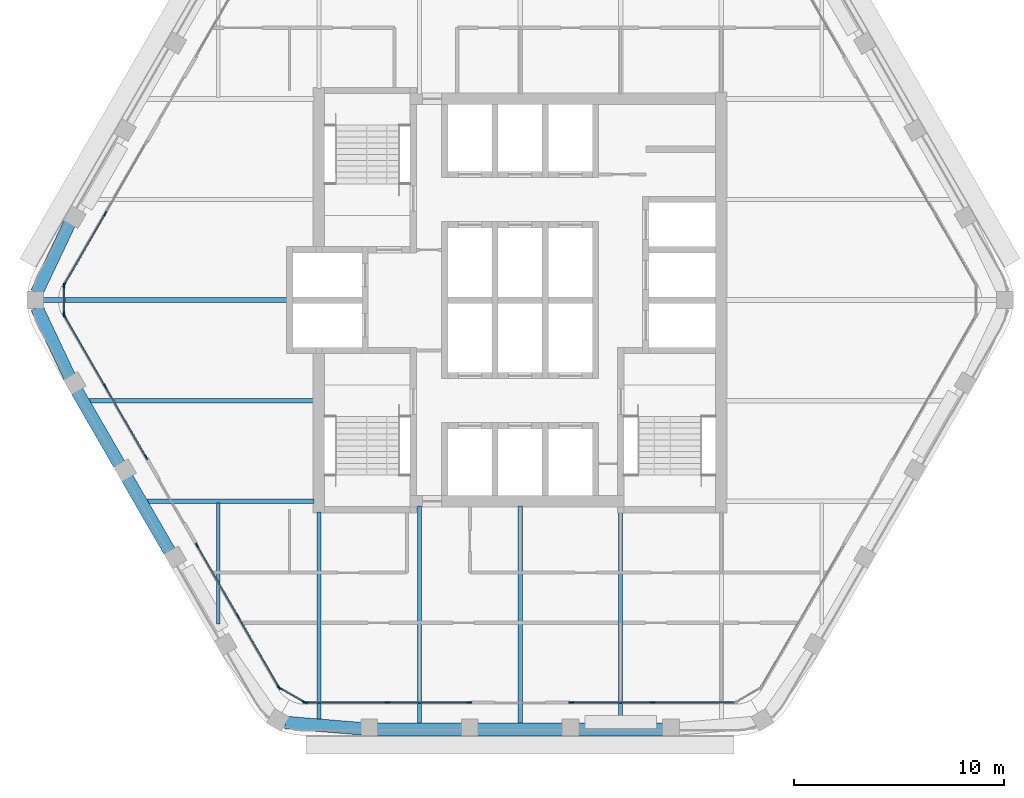
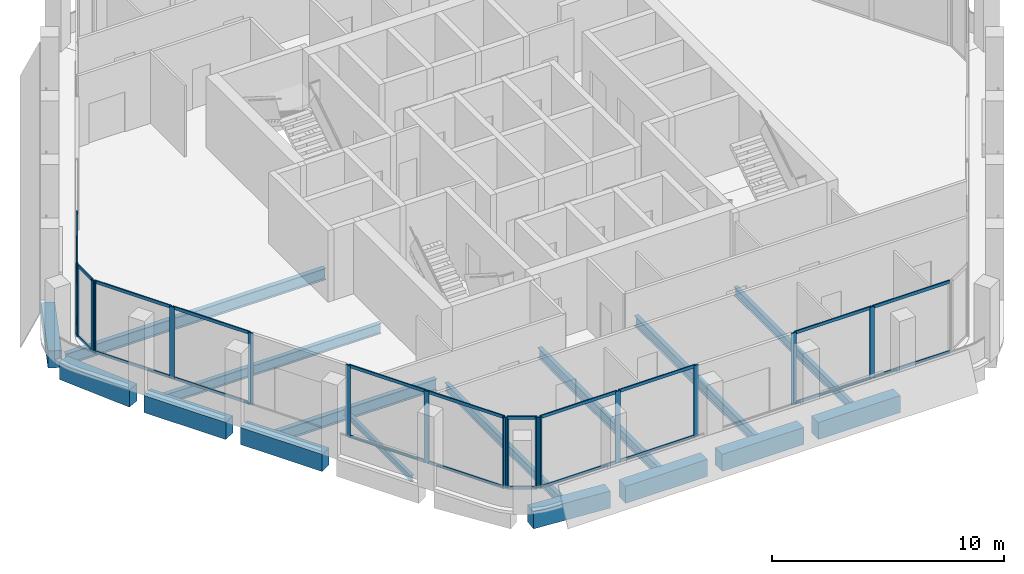
# One storey, part 2 of 13: 39 members, 16 beams, 7 elements without a shape of their own.
"""IFC4 building model written with IfcOpenShell, lengths in metres."""

import ifcopenshell
import ifcopenshell.guid

model = None  # the IFC model being written
_history = None  # IfcOwnerHistory: only IFC2X3 demands one
_inside = {}  # id of a spatial element -> (the spatial element, [elements in it])
_under = {}  # id of a project, library or spatial element -> (it, [spatial elements below it])
_declared = {}  # id of a project -> (the project, [libraries it declares])
_typed = {}  # id of a type object -> (the type object, [elements of that type])
_made_of = {}  # id of a material, layer set ... -> (it, [elements and type objects made of it])


def new_model(schema):
    """Start an empty IFC model of exactly this schema.

    Asked for "IFC4X3", IfcOpenShell would pick the latest addendum, in which some entities
    have other attributes; the version numbers below select the first issue.
    IFC2X3 requires an IfcOwnerHistory on every rooted entity: one is made here for all.
    """
    global model, _history
    if schema == "IFC4X3":
        model = ifcopenshell.file(schema_version=(4, 3, 0, 0))
    else:
        model = ifcopenshell.file(schema=schema)
    _inside.clear()
    _under.clear()
    _declared.clear()
    _typed.clear()
    _made_of.clear()
    _history = None
    if model.schema == "IFC2X3":
        org = make("IfcOrganization", Name="unknown")
        user = make(
            "IfcPersonAndOrganization",
            ThePerson=make("IfcPerson", FamilyName="unknown"),
            TheOrganization=org,
        )
        app = make(
            "IfcApplication",
            ApplicationDeveloper=org,
            Version="unknown",
            ApplicationFullName="unknown",
            ApplicationIdentifier="unknown",
        )
        _history = make(
            "IfcOwnerHistory",
            OwningUser=user,
            OwningApplication=app,
            ChangeAction="ADDED",
            CreationDate=0,
        )
    return model


def make(cls, **values):
    """One entity of the class cls with the attributes given. An attribute that is None is left unset."""
    return model.create_entity(
        cls, **{name: value for name, value in values.items() if value is not None}
    )


def rooted(cls, **values):
    """An entity with a GlobalId (a new one), such as an element, a storey or a relation."""
    return make(cls, GlobalId=ifcopenshell.guid.new(), OwnerHistory=_history, **values)


def si_unit(unit_type, name, prefix=None):
    """IfcSIUnit, for example si_unit("LENGTHUNIT", "METRE", prefix="MILLI")."""
    return make("IfcSIUnit", UnitType=unit_type, Prefix=prefix, Name=name)


def assignment(units):
    """IfcUnitAssignment: the units of a project."""
    return None if units is None else make("IfcUnitAssignment", Units=units)


def point(xyz):
    """IfcCartesianPoint."""
    return None if xyz is None else make("IfcCartesianPoint", Coordinates=xyz)


def direction(xyz):
    """IfcDirection."""
    return None if xyz is None else make("IfcDirection", DirectionRatios=xyz)


def frame(location, z_axis=None, x_axis=None):
    """IfcAxis2Placement3D, a coordinate frame: its origin and axes. An axis left out is left unset."""
    return make(
        "IfcAxis2Placement3D",
        Location=point(location),
        Axis=direction(z_axis),
        RefDirection=direction(x_axis),
    )


def frame_2d(location, x_axis=None):
    """IfcAxis2Placement2D, a coordinate frame in the plane: its origin and x axis."""
    return make(
        "IfcAxis2Placement2D", Location=point(location), RefDirection=direction(x_axis)
    )


def origin():
    """The frame at (0, 0, 0) with its axes left unset."""
    return frame((0.0, 0.0, 0.0))


def origin_2d():
    """The frame at (0, 0) in the plane with its x axis left unset."""
    return frame_2d((0.0, 0.0))


def place(relative_to, where):
    """IfcLocalPlacement: puts the frame where relative to a parent placement (None: the world)."""
    return make(
        "IfcLocalPlacement", PlacementRelTo=relative_to, RelativePlacement=where
    )


def context(
    kind, dimensions, precision=None, world=None, true_north=None, identifier=None
):
    """IfcGeometricRepresentationContext, for example the 3D "Model" context."""
    return make(
        "IfcGeometricRepresentationContext",
        ContextIdentifier=identifier,
        ContextType=kind,
        CoordinateSpaceDimension=dimensions,
        Precision=precision,
        WorldCoordinateSystem=world,
        TrueNorth=true_north,
    )


def subcontext(parent, identifier, kind, view, scale=None):
    """IfcGeometricRepresentationSubContext, for example "Body" below "Model"."""
    return make(
        "IfcGeometricRepresentationSubContext",
        ContextIdentifier=identifier,
        ContextType=kind,
        ParentContext=parent,
        TargetScale=scale,
        TargetView=view,
    )


def project(units=None, contexts=None):
    """IfcProject with its units and contexts."""
    return rooted(
        "IfcProject",
        Name="project",
        RepresentationContexts=contexts,
        UnitsInContext=assignment(units),
    )


def spatial(cls, under=None, at=None, **own):
    """A site, building, storey or space (cls), placed at a placement, below another one or the project."""
    s = rooted(cls, ObjectPlacement=at, **own)
    if under is not None:
        _under.setdefault(under.id(), (under, []))[1].append(s)
    return s


def profile(cls, at=None, kind="AREA", **sizes):
    """A parametric profile (cls). Its sizes go by their IFC names, for example OverallWidth=200.0."""
    return make(cls, ProfileType=kind, Position=at, **sizes)


def rectangle(**sizes):
    """IfcRectangleProfileDef."""
    return profile("IfcRectangleProfileDef", **sizes)


def i_section(**sizes):
    """IfcIShapeProfileDef."""
    return profile("IfcIShapeProfileDef", **sizes)


def extrude(swept, where, along, depth):
    """IfcExtrudedAreaSolid: the profile swept, set in the frame where, extruded along a direction by depth."""
    return make(
        "IfcExtrudedAreaSolid",
        SweptArea=swept,
        Position=where,
        ExtrudedDirection=direction(along),
        Depth=depth,
    )


def shape(context_of_items, identifier, shape_type, items):
    """IfcShapeRepresentation: the items that make up one representation, for example the "Body"."""
    return make(
        "IfcShapeRepresentation",
        ContextOfItems=context_of_items,
        RepresentationIdentifier=identifier,
        RepresentationType=shape_type,
        Items=items,
    )


def material(Name=None, Category=None):
    """IfcMaterial."""
    return make("IfcMaterial", Name=Name, Category=Category)


def material_profile(
    of_material, cross_section, Name=None, Category=None, Priority=None
):
    """IfcMaterialProfile: a cross section and its material."""
    return make(
        "IfcMaterialProfile",
        Name=Name,
        Material=of_material,
        Profile=cross_section,
        Priority=Priority,
        Category=Category,
    )


def profile_set(profiles, Name=None, composite=None):
    """IfcMaterialProfileSet."""
    return make(
        "IfcMaterialProfileSet",
        Name=Name,
        MaterialProfiles=profiles,
        CompositeProfile=composite,
    )


def made_of(thing, what):
    """Note that an element or type object is made of a material, layer set ...; save() writes the relation."""
    if what is not None:
        _made_of.setdefault(what.id(), (what, []))[1].append(thing)
    return thing


def type_object(cls, material=None, **own):
    """A type object (cls), such as IfcWallType, which elements share."""
    return made_of(rooted(cls, **own), material)


def element(
    cls,
    number,
    at=None,
    inside=None,
    cuts=None,
    type_object=None,
    material=None,
    context=None,
    identifier="Body",
    shape_type=None,
    held_by="IfcProductDefinitionShape",
    body=None,
    shapes=None,
    **own,
):
    """One element of the class cls, such as IfcWall. Its Tag is "e" and its number.

    at: its placement. inside: the storey or other place that contains it. cuts: it is an
    opening in that element (IfcRelVoidsElement). A single representation is given by context,
    identifier, shape_type and body (its items); several are given by shapes. held_by: the class
    of the entity that holds the representations. save() writes the other relations.
    """
    e = rooted(cls, Tag="e%d" % number, ObjectPlacement=at, **own)
    if body is not None:
        shapes = [shape(context, identifier, shape_type, body)]
    if shapes is not None:
        e.Representation = make(held_by, Representations=shapes)
    if inside is not None:
        _inside.setdefault(inside.id(), (inside, []))[1].append(e)
    if cuts is not None:
        rooted(
            "IfcRelVoidsElement", RelatingBuildingElement=cuts, RelatedOpeningElement=e
        )
    if type_object is not None:
        _typed.setdefault(type_object.id(), (type_object, []))[1].append(e)
    return made_of(e, material)


def aggregate(whole, parts):
    """IfcRelAggregates: a whole, such as a stair, and the parts it consists of."""
    return rooted("IfcRelAggregates", RelatingObject=whole, RelatedObjects=parts)


def save(model, path):
    """Write the relations noted so far, then the file.

    IfcRelAggregates (storeys below a building ...), IfcRelContainedInSpatialStructure (elements
    in a storey), IfcRelDefinesByType, IfcRelAssociatesMaterial and IfcRelDeclares: one each for
    every whole, place, type object, material and project.
    """
    for whole, parts in _under.values():
        aggregate(whole, parts)
    for where, things in _inside.values():
        rooted(
            "IfcRelContainedInSpatialStructure",
            RelatedElements=things,
            RelatingStructure=where,
        )
    for kind, things in _typed.values():
        rooted("IfcRelDefinesByType", RelatedObjects=things, RelatingType=kind)
    for what, things in _made_of.values():
        rooted("IfcRelAssociatesMaterial", RelatedObjects=things, RelatingMaterial=what)
    for by, libraries in _declared.values():
        rooted("IfcRelDeclares", RelatingContext=by, RelatedDefinitions=libraries)
    model.write(path)


model = new_model("IFC4")

# Units and contexts
model_context = context("Model", 3, precision=1e-05, world=origin(), true_north=direction((0.0, 1.0)))
body_context = subcontext(model_context, "Body", "Model", "MODEL_VIEW")
ifc_project = project(units=[si_unit("LENGTHUNIT", "METRE"), si_unit("AREAUNIT", "SQUARE_METRE"), si_unit("VOLUMEUNIT", "CUBIC_METRE"), si_unit("PLANEANGLEUNIT", "RADIAN"), si_unit("MASSUNIT", "GRAM", prefix="KILO")], contexts=[model_context])

# Site, building, storey
site_placement = place(None, origin())
site = spatial("IfcSite", under=ifc_project, at=site_placement, CompositionType="ELEMENT")
building_placement = place(site_placement, origin())
building = spatial("IfcBuilding", under=site, at=building_placement, Name="Kolab Exchange Tower", CompositionType="ELEMENT")
storey_placement = place(building_placement, frame((0.0, 0.0, 289.10009765625)))
storey = spatial("IfcBuildingStorey", under=building, at=storey_placement, Name="L65", CompositionType="ELEMENT", Elevation=289.10009765625)

# Beams
ifc_material_1 = material(Name="Steel S355", Category="steel")
ifc_material_profile_1 = material_profile(ifc_material_1, i_section(OverallWidth=0.1650390625, OverallDepth=0.31005859375, WebThickness=0.005859375, FlangeThickness=0.009765625, at=origin_2d()), Name="W310X39")
ifc_profile_set_1 = profile_set([ifc_material_profile_1], Name="Steel S355")
beam_type_1 = type_object("IfcBeamType", Name="FLOOR BEAM W310X39", PredefinedType="BEAM", material=ifc_profile_set_1)
beam_1_placement = place(storey_placement, frame((-14.39990234375, -15.4677734375, -0.30517578125), z_axis=(0.0, 1.0, 0.0), x_axis=(-1.0, 0.0, 0.0)))
element("IfcBeam", 1, at=beam_1_placement, inside=storey, type_object=beam_type_1, Name="beam/L65/fr/003", PredefinedType="BEAM", context=body_context, shape_type="SweptSolid", body=[
    extrude(i_section(OverallWidth=0.1650390625, OverallDepth=0.31005859375, WebThickness=0.005859375, FlangeThickness=0.009765625, at=origin_2d()), origin(), (0.0, 0.0, 1.0), 5.793701171875),
])
ifc_material_profile_2 = material_profile(ifc_material_1, i_section(OverallWidth=0.18994140625, OverallDepth=0.45703125, WebThickness=0.009033203125, FlangeThickness=0.014404296875, at=origin_2d()), Name="W460X74")
ifc_profile_set_2 = profile_set([ifc_material_profile_2], Name="Steel S355")
beam_type_2 = type_object("IfcBeamType", Name="FLOOR BEAM W460X74", PredefinedType="BEAM", material=ifc_profile_set_2)
beam_2_placement = place(storey_placement, frame((-9.60009765625, -20.027099609375, -0.378662109375), z_axis=(0.0, 1.0, 0.0), x_axis=(-1.0, 0.0, 0.0)))
element("IfcBeam", 2, at=beam_2_placement, inside=storey, type_object=beam_type_2, Name="beam/L65/fr/005", PredefinedType="BEAM", context=body_context, shape_type="SweptSolid", body=[
    extrude(i_section(OverallWidth=0.18994140625, OverallDepth=0.45703125, WebThickness=0.009033203125, FlangeThickness=0.014404296875, at=origin_2d()), origin(), (0.0, 0.0, 1.0), 9.9169921875),
])
beam_3_placement = place(storey_placement, frame((4.800048828125, -20.224609375, -0.378662109375), z_axis=(0.0, 1.0, 0.0), x_axis=(-1.0, 0.0, 0.0)))
element("IfcBeam", 3, at=beam_3_placement, inside=storey, type_object=beam_type_2, Name="beam/L65/fr/011", PredefinedType="BEAM", context=body_context, shape_type="SweptSolid", body=[
    extrude(i_section(OverallWidth=0.18994140625, OverallDepth=0.45703125, WebThickness=0.009033203125, FlangeThickness=0.014404296875, at=origin_2d()), origin(), (0.0, 0.0, 1.0), 10.114501953125),
])
ifc_material_profile_3 = material_profile(ifc_material_1, i_section(OverallWidth=0.208984375, OverallDepth=0.532958984375, WebThickness=0.01025390625, FlangeThickness=0.015625, at=origin_2d()), Name="W530X92")
ifc_profile_set_3 = profile_set([ifc_material_profile_3], Name="Steel S355")
beam_type_3 = type_object("IfcBeamType", Name="FLOOR BEAM W530X92", PredefinedType="BEAM", material=ifc_profile_set_3)
beam_4_placement = place(storey_placement, frame((-20.575927734375, -4.800048828125, -0.41650390625), z_axis=(1.0, 0.0, 0.0), x_axis=(0.0, 1.0, 0.0)))
element("IfcBeam", 4, at=beam_4_placement, inside=storey, type_object=beam_type_3, Name="beam/L65/fr/001", PredefinedType="BEAM", context=body_context, shape_type="SweptSolid", body=[
    extrude(i_section(OverallWidth=0.208984375, OverallDepth=0.532958984375, WebThickness=0.01025390625, FlangeThickness=0.015625, at=origin_2d()), origin(), (0.0, 0.0, 1.0), 10.740966796875),
])
for number, where, z_axis, x_axis, name in (
    (5, (-4.800048828125, -20.224609375, -0.41650390625), (0.0, 1.0, 0.0), (-1.0, 0.0, 0.0), "beam/L65/fr/007"),
    (6, (0.0, -20.224609375, -0.41650390625), (0.0, 1.0, 0.0), (-1.0, 0.0, 0.0), "beam/L65/fr/009"),
):
    element("IfcBeam", number, at=place(storey_placement, frame(where, z_axis=z_axis, x_axis=x_axis)), inside=storey, type_object=beam_type_3, Name=name, PredefinedType="BEAM", context=body_context, shape_type="SweptSolid", body=[
        extrude(i_section(OverallWidth=0.208984375, OverallDepth=0.532958984375, WebThickness=0.01025390625, FlangeThickness=0.015625, at=origin_2d()), origin(), (0.0, 0.0, 1.0), 10.3896484375),
    ])
ifc_material_profile_4 = material_profile(ifc_material_1, i_section(OverallWidth=0.22802734375, OverallDepth=0.60791015625, WebThickness=0.01123046875, FlangeThickness=0.017333984375, at=origin_2d()), Name="W610X113")
ifc_profile_set_4 = profile_set([ifc_material_profile_4], Name="Steel S355")
beam_type_4 = type_object("IfcBeamType", Name="FLOOR BEAM W610X113", PredefinedType="BEAM", material=ifc_profile_set_4)
beam_5_placement = place(storey_placement, frame((-22.77587890625, 0.0, -0.4541015625), z_axis=(1.0, 0.0, 0.0), x_axis=(0.0, 1.0, 0.0)))
element("IfcBeam", 7, at=beam_5_placement, inside=storey, type_object=beam_type_4, Name="beam/L65/fr/000", PredefinedType="BEAM", context=body_context, shape_type="SweptSolid", body=[
    extrude(i_section(OverallWidth=0.22802734375, OverallDepth=0.60791015625, WebThickness=0.01123046875, FlangeThickness=0.017333984375, at=origin_2d()), origin(), (0.0, 0.0, 1.0), 12.94091796875),
])
ifc_material_profile_5 = material_profile(ifc_material_1, i_section(OverallWidth=0.22802734375, OverallDepth=0.60791015625, WebThickness=0.01123046875, FlangeThickness=0.017333984375, at=origin_2d()), Name="W610X113")
ifc_profile_set_5 = profile_set([ifc_material_profile_5], Name="Steel S355")
beam_type_5 = type_object("IfcBeamType", Name="FLOOR GIRDER W610X113", PredefinedType="BEAM", material=ifc_profile_set_5)
beam_6_placement = place(storey_placement, frame((-17.8046875, -9.60009765625, -0.4541015625), z_axis=(1.0, 0.0, 0.0), x_axis=(0.0, 1.0, 0.0)))
element("IfcBeam", 8, at=beam_6_placement, inside=storey, type_object=beam_type_5, Name="beam/L65/gd/000", PredefinedType="BEAM", context=body_context, shape_type="SweptSolid", body=[
    extrude(i_section(OverallWidth=0.22802734375, OverallDepth=0.60791015625, WebThickness=0.01123046875, FlangeThickness=0.017333984375, at=origin_2d()), origin(), (0.0, 0.0, 1.0), 7.9697265625),
])
ifc_material_2 = material(Name="Concrete C50/60", Category="concrete")
ifc_material_profile_6 = material_profile(ifc_material_2, rectangle(XDim=0.60009765625, YDim=0.89990234375, at=origin_2d()), Name="RC600X900")
ifc_profile_set_6 = profile_set([ifc_material_profile_6], Name="Concrete C50/60")
beam_type_6 = type_object("IfcBeamType", Name="SPANDREL BEAM 600X900 C50/60", PredefinedType="BEAM", material=ifc_profile_set_6)
for number, where, z_axis, x_axis, name in (
    (9, (6.840087890625, -20.484619140625, -0.60009765625), (-1.0, 0.0, 0.0), (0.0, -1.0, 0.0), "beam/L65/sp/F4-02"),
    (10, (2.0400390625, -20.484619140625, -0.60009765625), (-1.0, 0.0, 0.0), (0.0, -1.0, 0.0), "beam/L65/sp/F4-03"),
    (11, (-2.760009765625, -20.484619140625, -0.60009765625), (-1.0, 0.0, 0.0), (0.0, -1.0, 0.0), "beam/L65/sp/F4-04"),
):
    element("IfcBeam", number, at=place(storey_placement, frame(where, z_axis=z_axis, x_axis=x_axis)), inside=storey, type_object=beam_type_6, Name=name, PredefinedType="BEAM", context=body_context, shape_type="SweptSolid", body=[
        extrude(rectangle(XDim=0.60009765625, YDim=0.89990234375, at=origin_2d()), origin(), (0.0, 0.0, 1.0), 4.080078125),
    ])
beam_7_placement = place(storey_placement, frame((-7.56005859375, -20.455078125, -0.60009765625), z_axis=(-0.996666751878, 0.081580547323, 0.0), x_axis=(-0.081580547323, -0.996666751878, 0.0)))
element("IfcBeam", 12, at=beam_7_placement, inside=storey, type_object=beam_type_6, Name="beam/L65/sp/F4-05", PredefinedType="BEAM", context=body_context, shape_type="SweptSolid", body=[
    extrude(rectangle(XDim=0.60009765625, YDim=0.89990234375, at=origin_2d()), origin(), (0.0, 0.0, 1.0), 3.6689453125),
])
for number, where, z_axis, x_axis, name in (
    (13, (-16.72021484375, -12.009033203125, -0.60009765625), (-0.500000428765, 0.866025156237, 0.0), (-0.866025156237, -0.500000428765, 0.0), "beam/L65/sp/F5-03"),
    (14, (-19.1201171875, -7.85205078125, -0.60009765625), (-0.500000428765, 0.866025156237, 0.0), (-0.866025156237, -0.500000428765, 0.0), "beam/L65/sp/F5-04"),
):
    element("IfcBeam", number, at=place(storey_placement, frame(where, z_axis=z_axis, x_axis=x_axis)), inside=storey, type_object=beam_type_6, Name=name, PredefinedType="BEAM", context=body_context, shape_type="SweptSolid", body=[
        extrude(rectangle(XDim=0.60009765625, YDim=0.89990234375, at=origin_2d()), origin(), (0.0, 0.0, 1.0), 4.080078125),
    ])
for number, where, z_axis, x_axis, name in (
    (15, (-21.49462890625, -3.68017578125, -0.60009765625), (-0.427677251998, 0.903931506323, 0.0), (-0.903931506323, -0.427677251998, 0.0), "beam/L65/sp/F5-05"),
    (16, (-23.063720703125, 0.36376953125, -0.60009765625), (0.427677251998, 0.903931506323, 0.0), (-0.903931506323, 0.427677251998, 0.0), "beam/L65/sp/F6-01"),
):
    element("IfcBeam", number, at=place(storey_placement, frame(where, z_axis=z_axis, x_axis=x_axis)), inside=storey, type_object=beam_type_6, Name=name, PredefinedType="BEAM", context=body_context, shape_type="SweptSolid", body=[
        extrude(rectangle(XDim=0.60009765625, YDim=0.89990234375, at=origin_2d()), origin(), (0.0, 0.0, 1.0), 3.6689453125),
    ])

# Curtain wall, members
ifc_material_3 = material(Name="Aluminium EN AW-6063 T6", Category="aluminium")
curtain_wall_type = type_object("IfcCurtainWallType", Name="UNITISED HIGH ZONE CURTAIN WALL", PredefinedType="NOTDEFINED", material=ifc_material_3)
curtain_wall_1_placement = place(storey_placement, origin())
curtain_wall_1 = element("IfcCurtainWall", 17, at=curtain_wall_1_placement, inside=storey, type_object=curtain_wall_type, Name="cw/L65/F4-1", PredefinedType="NOTDEFINED")
ifc_material_profile_7 = material_profile(ifc_material_3, rectangle(XDim=0.06005859375, YDim=0.239990234375, at=origin_2d()), Name="RECT 60X240")
ifc_profile_set_7 = profile_set([ifc_material_profile_7], Name="Aluminium EN AW-6063 T6")
member_type_1 = type_object("IfcMemberType", Name="UNITISED HIGH ZONE MULLION 60 X 240", PredefinedType="MULLION", material=ifc_profile_set_7)
member_1_placement = place(storey_placement, frame((6.333984375, -19.20458984375, 0.0), z_axis=(0.0, 0.0, 1.0), x_axis=(0.0, -1.0, 0.0)))
member_1 = element("IfcMember", 18, at=member_1_placement, type_object=member_type_1, Name="CW4 mullion 2", PredefinedType="MULLION", context=body_context, shape_type="SweptSolid", body=[
    extrude(rectangle(XDim=0.06005859375, YDim=0.239990234375, at=origin_2d()), origin(), (0.0, 0.0, 1.0), 3.75),
])
member_2_placement = place(storey_placement, frame((2.429931640625, -19.20458984375, 0.0), z_axis=(0.0, 0.0, 1.0), x_axis=(0.0, -1.0, 0.0)))
member_2 = element("IfcMember", 19, at=member_2_placement, type_object=member_type_1, Name="CW4 mullion 3", PredefinedType="MULLION", context=body_context, shape_type="SweptSolid", body=[
    extrude(rectangle(XDim=0.06005859375, YDim=0.239990234375, at=origin_2d()), origin(), (0.0, 0.0, 1.0), 3.75),
])

curtain_wall_2_placement = place(storey_placement, origin())
curtain_wall_2 = element("IfcCurtainWall", 20, at=curtain_wall_2_placement, inside=storey, type_object=curtain_wall_type, Name="cw/L65/F4-2", PredefinedType="NOTDEFINED")
member_3_placement = place(storey_placement, frame((-2.429931640625, -19.20458984375, 0.0), z_axis=(0.0, 0.0, 1.0), x_axis=(0.0, -1.0, 0.0)))
member_3 = element("IfcMember", 21, at=member_3_placement, type_object=member_type_1, Name="CW4 mullion 1", PredefinedType="MULLION", context=body_context, shape_type="SweptSolid", body=[
    extrude(rectangle(XDim=0.06005859375, YDim=0.239990234375, at=origin_2d()), origin(), (0.0, 0.0, 1.0), 3.75),
])
member_4_placement = place(storey_placement, frame((-6.333984375, -19.20458984375, 0.0), z_axis=(0.0, 0.0, 1.0), x_axis=(0.0, -1.0, 0.0)))
member_4 = element("IfcMember", 22, at=member_4_placement, type_object=member_type_1, Name="CW4 mullion 2", PredefinedType="MULLION", context=body_context, shape_type="SweptSolid", body=[
    extrude(rectangle(XDim=0.06005859375, YDim=0.239990234375, at=origin_2d()), origin(), (0.0, 0.0, 1.0), 3.75),
])
member_5_placement = place(storey_placement, frame((-10.238037109375, -19.20458984375, 0.0), z_axis=(0.0, 0.0, 1.0), x_axis=(0.0, -1.0, 0.0)))
member_5 = element("IfcMember", 23, at=member_5_placement, type_object=member_type_1, Name="CW4 mullion 3", PredefinedType="MULLION", context=body_context, shape_type="SweptSolid", body=[
    extrude(rectangle(XDim=0.06005859375, YDim=0.239990234375, at=origin_2d()), origin(), (0.0, 0.0, 1.0), 3.75),
])

curtain_wall_3_placement = place(storey_placement, origin())
curtain_wall_3 = element("IfcCurtainWall", 24, at=curtain_wall_3_placement, inside=storey, type_object=curtain_wall_type, Name="cw/L65/F5-1", PredefinedType="NOTDEFINED")
member_6_placement = place(storey_placement, frame((-11.5126953125, -18.46875, 0.0), z_axis=(0.0, 0.0, 1.0), x_axis=(-0.866025385493, -0.500000031681, 0.0)))
member_6 = element("IfcMember", 25, at=member_6_placement, type_object=member_type_1, Name="CW4 mullion 1", PredefinedType="MULLION", context=body_context, shape_type="SweptSolid", body=[
    extrude(rectangle(XDim=0.06005859375, YDim=0.239990234375, at=origin_2d()), origin(), (0.0, 0.0, 1.0), 3.75),
])
member_7_placement = place(storey_placement, frame((-13.464599609375, -15.087646484375, 0.0), z_axis=(0.0, 0.0, 1.0), x_axis=(-0.866025385493, -0.500000031681, 0.0)))
member_7 = element("IfcMember", 26, at=member_7_placement, type_object=member_type_1, Name="CW4 mullion 2", PredefinedType="MULLION", context=body_context, shape_type="SweptSolid", body=[
    extrude(rectangle(XDim=0.06005859375, YDim=0.239990234375, at=origin_2d()), origin(), (0.0, 0.0, 1.0), 3.75),
])
member_8_placement = place(storey_placement, frame((-15.416748046875, -11.706787109375, 0.0), z_axis=(0.0, 0.0, 1.0), x_axis=(-0.866025385493, -0.500000031681, 0.0)))
member_8 = element("IfcMember", 27, at=member_8_placement, type_object=member_type_1, Name="CW4 mullion 3", PredefinedType="MULLION", context=body_context, shape_type="SweptSolid", body=[
    extrude(rectangle(XDim=0.06005859375, YDim=0.239990234375, at=origin_2d()), origin(), (0.0, 0.0, 1.0), 3.75),
])

curtain_wall_4_placement = place(storey_placement, origin())
curtain_wall_4 = element("IfcCurtainWall", 28, at=curtain_wall_4_placement, inside=storey, type_object=curtain_wall_type, Name="cw/L65/F5-2", PredefinedType="NOTDEFINED")
member_9_placement = place(storey_placement, frame((-17.8466796875, -7.497802734375, 0.0), z_axis=(0.0, 0.0, 1.0), x_axis=(-0.866025440524, -0.499999936366, 0.0)))
member_9 = element("IfcMember", 29, at=member_9_placement, type_object=member_type_1, Name="CW4 mullion 1", PredefinedType="MULLION", context=body_context, shape_type="SweptSolid", body=[
    extrude(rectangle(XDim=0.06005859375, YDim=0.239990234375, at=origin_2d()), origin(), (0.0, 0.0, 1.0), 3.75),
])
member_10_placement = place(storey_placement, frame((-19.798583984375, -4.116943359375, 0.0), z_axis=(0.0, 0.0, 1.0), x_axis=(-0.866025440524, -0.499999936366, 0.0)))
member_10 = element("IfcMember", 30, at=member_10_placement, type_object=member_type_1, Name="CW4 mullion 2", PredefinedType="MULLION", context=body_context, shape_type="SweptSolid", body=[
    extrude(rectangle(XDim=0.06005859375, YDim=0.239990234375, at=origin_2d()), origin(), (0.0, 0.0, 1.0), 3.75),
])
member_11_placement = place(storey_placement, frame((-21.750732421875, -0.736083984375, 0.0), z_axis=(0.0, 0.0, 1.0), x_axis=(-0.866025440524, -0.499999936366, 0.0)))
member_11 = element("IfcMember", 31, at=member_11_placement, type_object=member_type_1, Name="CW4 mullion 3", PredefinedType="MULLION", context=body_context, shape_type="SweptSolid", body=[
    extrude(rectangle(XDim=0.06005859375, YDim=0.239990234375, at=origin_2d()), origin(), (0.0, 0.0, 1.0), 3.75),
])

curtain_wall_5_placement = place(storey_placement, origin())
curtain_wall_5 = element("IfcCurtainWall", 32, at=curtain_wall_5_placement, inside=storey, type_object=curtain_wall_type, Name="cw/L65/F6-1", PredefinedType="NOTDEFINED")
member_12_placement = place(storey_placement, frame((-21.750732421875, 0.736083984375, 0.0), z_axis=(0.0, 0.0, 1.0), x_axis=(-0.866025440524, 0.499999936366, 0.0)))
member_12 = element("IfcMember", 33, at=member_12_placement, type_object=member_type_1, Name="CW4 mullion 1", PredefinedType="MULLION", context=body_context, shape_type="SweptSolid", body=[
    extrude(rectangle(XDim=0.06005859375, YDim=0.239990234375, at=origin_2d()), origin(), (0.0, 0.0, 1.0), 3.75),
])
member_13_placement = place(storey_placement, frame((-19.798583984375, 4.116943359375, 0.0), z_axis=(0.0, 0.0, 1.0), x_axis=(-0.866025440524, 0.499999936366, 0.0)))
member_13 = element("IfcMember", 34, at=member_13_placement, type_object=member_type_1, Name="CW4 mullion 2", PredefinedType="MULLION", context=body_context, shape_type="SweptSolid", body=[
    extrude(rectangle(XDim=0.06005859375, YDim=0.239990234375, at=origin_2d()), origin(), (0.0, 0.0, 1.0), 3.75),
])

curtain_wall_6_placement = place(storey_placement, origin())
curtain_wall_6 = element("IfcCurtainWall", 35, at=curtain_wall_6_placement, inside=storey, type_object=curtain_wall_type, Name="cw/L65/F4F5-corner", PredefinedType="NOTDEFINED")
member_14_placement = place(storey_placement, frame((-10.2939453125, -19.189697265625, 0.0), z_axis=(0.0, 0.0, 1.0), x_axis=(-0.50000002237, -0.866025390869, 0.0)))
member_14 = element("IfcMember", 36, at=member_14_placement, type_object=member_type_1, Name="CW4 mullion 1", PredefinedType="MULLION", context=body_context, shape_type="SweptSolid", body=[
    extrude(rectangle(XDim=0.06005859375, YDim=0.239990234375, at=origin_2d()), origin(), (0.0, 0.0, 1.0), 3.75),
])
member_15_placement = place(storey_placement, frame((-11.4716796875, -18.509521484375, 0.0), z_axis=(0.0, 0.0, 1.0), x_axis=(-0.50000002237, -0.866025390869, 0.0)))
member_15 = element("IfcMember", 37, at=member_15_placement, type_object=member_type_1, Name="CW4 mullion 2", PredefinedType="MULLION", context=body_context, shape_type="SweptSolid", body=[
    extrude(rectangle(XDim=0.06005859375, YDim=0.239990234375, at=origin_2d()), origin(), (0.0, 0.0, 1.0), 3.75),
])

curtain_wall_7_placement = place(storey_placement, origin())
curtain_wall_7 = element("IfcCurtainWall", 38, at=curtain_wall_7_placement, inside=storey, type_object=curtain_wall_type, Name="cw/L65/F5F6-corner", PredefinedType="NOTDEFINED")
member_16_placement = place(storey_placement, frame((-21.765625, -0.679931640625, 0.0), z_axis=(0.0, 0.0, 1.0), x_axis=(-1.0, 0.0, 0.0)))
member_16 = element("IfcMember", 39, at=member_16_placement, type_object=member_type_1, Name="CW4 mullion 1", PredefinedType="MULLION", context=body_context, shape_type="SweptSolid", body=[
    extrude(rectangle(XDim=0.06005859375, YDim=0.239990234375, at=origin_2d()), origin(), (0.0, 0.0, 1.0), 3.75),
])
member_17_placement = place(storey_placement, frame((-21.765625, 0.679931640625, 0.0), z_axis=(0.0, 0.0, 1.0), x_axis=(-1.0, 0.0, 0.0)))
member_17 = element("IfcMember", 40, at=member_17_placement, type_object=member_type_1, Name="CW4 mullion 2", PredefinedType="MULLION", context=body_context, shape_type="SweptSolid", body=[
    extrude(rectangle(XDim=0.06005859375, YDim=0.239990234375, at=origin_2d()), origin(), (0.0, 0.0, 1.0), 3.75),
])

# Member
ifc_material_profile_8 = material_profile(ifc_material_3, rectangle(XDim=0.06005859375, YDim=0.159912109375, at=origin_2d()), Name="RECT 60X160")
ifc_profile_set_8 = profile_set([ifc_material_profile_8], Name="Aluminium EN AW-6063 T6")
member_type_2 = type_object("IfcMemberType", Name="UNITISED HIGH ZONE TRANSOM 60 X 160", PredefinedType="USERDEFINED", material=ifc_profile_set_8)
member_18_placement = place(storey_placement, frame((10.2080078125, -19.20458984375, 0.02978515625), z_axis=(-1.0, 0.0, 0.0), x_axis=(0.0, -1.0, 0.0)))
member_18 = element("IfcMember", 41, at=member_18_placement, type_object=member_type_2, Name="CW4 transom 1.1", ObjectType="TRANSOM", PredefinedType="USERDEFINED", context=body_context, shape_type="SweptSolid", body=[
    extrude(rectangle(XDim=0.06005859375, YDim=0.159912109375, at=origin_2d()), origin(), (0.0, 0.0, 1.0), 3.843994140625),
])

member_19_placement = place(storey_placement, frame((10.2080078125, -19.20458984375, 3.719970703125), z_axis=(-1.0, 0.0, 0.0), x_axis=(0.0, -1.0, 0.0)))
member_19 = element("IfcMember", 42, at=member_19_placement, type_object=member_type_2, Name="CW4 transom 1.2", ObjectType="TRANSOM", PredefinedType="USERDEFINED", context=body_context, shape_type="SweptSolid", body=[
    extrude(rectangle(XDim=0.06005859375, YDim=0.159912109375, at=origin_2d()), origin(), (0.0, 0.0, 1.0), 3.843994140625),
])

member_20_placement = place(storey_placement, frame((6.303955078125, -19.20458984375, 0.02978515625), z_axis=(-1.0, 0.0, 0.0), x_axis=(0.0, -1.0, 0.0)))
member_20 = element("IfcMember", 43, at=member_20_placement, type_object=member_type_2, Name="CW4 transom 2.1", ObjectType="TRANSOM", PredefinedType="USERDEFINED", context=body_context, shape_type="SweptSolid", body=[
    extrude(rectangle(XDim=0.06005859375, YDim=0.159912109375, at=origin_2d()), origin(), (0.0, 0.0, 1.0), 3.843994140625),
])

member_21_placement = place(storey_placement, frame((6.303955078125, -19.20458984375, 3.719970703125), z_axis=(-1.0, 0.0, 0.0), x_axis=(0.0, -1.0, 0.0)))
member_21 = element("IfcMember", 44, at=member_21_placement, type_object=member_type_2, Name="CW4 transom 2.2", ObjectType="TRANSOM", PredefinedType="USERDEFINED", context=body_context, shape_type="SweptSolid", body=[
    extrude(rectangle(XDim=0.06005859375, YDim=0.159912109375, at=origin_2d()), origin(), (0.0, 0.0, 1.0), 3.843994140625),
])

aggregate(curtain_wall_1, [member_1, member_2, member_18, member_19, member_20, member_21])

member_22_placement = place(storey_placement, frame((-2.4599609375, -19.20458984375, 0.02978515625), z_axis=(-1.0, 0.0, 0.0), x_axis=(0.0, -1.0, 0.0)))
member_22 = element("IfcMember", 45, at=member_22_placement, type_object=member_type_2, Name="CW4 transom 1.1", ObjectType="TRANSOM", PredefinedType="USERDEFINED", context=body_context, shape_type="SweptSolid", body=[
    extrude(rectangle(XDim=0.06005859375, YDim=0.159912109375, at=origin_2d()), origin(), (0.0, 0.0, 1.0), 3.843994140625),
])

member_23_placement = place(storey_placement, frame((-2.4599609375, -19.20458984375, 3.719970703125), z_axis=(-1.0, 0.0, 0.0), x_axis=(0.0, -1.0, 0.0)))
member_23 = element("IfcMember", 46, at=member_23_placement, type_object=member_type_2, Name="CW4 transom 1.2", ObjectType="TRANSOM", PredefinedType="USERDEFINED", context=body_context, shape_type="SweptSolid", body=[
    extrude(rectangle(XDim=0.06005859375, YDim=0.159912109375, at=origin_2d()), origin(), (0.0, 0.0, 1.0), 3.843994140625),
])

member_24_placement = place(storey_placement, frame((-6.364013671875, -19.20458984375, 0.02978515625), z_axis=(-1.0, 0.0, 0.0), x_axis=(0.0, -1.0, 0.0)))
member_24 = element("IfcMember", 47, at=member_24_placement, type_object=member_type_2, Name="CW4 transom 2.1", ObjectType="TRANSOM", PredefinedType="USERDEFINED", context=body_context, shape_type="SweptSolid", body=[
    extrude(rectangle(XDim=0.06005859375, YDim=0.159912109375, at=origin_2d()), origin(), (0.0, 0.0, 1.0), 3.843994140625),
])

member_25_placement = place(storey_placement, frame((-6.364013671875, -19.20458984375, 3.719970703125), z_axis=(-1.0, 0.0, 0.0), x_axis=(0.0, -1.0, 0.0)))
member_25 = element("IfcMember", 48, at=member_25_placement, type_object=member_type_2, Name="CW4 transom 2.2", ObjectType="TRANSOM", PredefinedType="USERDEFINED", context=body_context, shape_type="SweptSolid", body=[
    extrude(rectangle(XDim=0.06005859375, YDim=0.159912109375, at=origin_2d()), origin(), (0.0, 0.0, 1.0), 3.843994140625),
])

aggregate(curtain_wall_2, [member_3, member_4, member_5, member_22, member_23, member_24, member_25])

member_26_placement = place(storey_placement, frame((-11.527587890625, -18.442626953125, 0.02978515625), z_axis=(-0.500039492609, 0.866002601515, 0.0), x_axis=(-0.866002601515, -0.500039492609, 0.0)))
member_26 = element("IfcMember", 49, at=member_26_placement, type_object=member_type_2, Name="CW4 transom 1.1", ObjectType="TRANSOM", PredefinedType="USERDEFINED", context=body_context, shape_type="SweptSolid", body=[
    extrude(rectangle(XDim=0.06005859375, YDim=0.159912109375, at=origin_2d()), origin(), (0.0, 0.0, 1.0), 3.843994140625),
])

member_27_placement = place(storey_placement, frame((-11.527587890625, -18.442626953125, 3.719970703125), z_axis=(-0.500039492609, 0.866002601515, 0.0), x_axis=(-0.866002601515, -0.500039492609, 0.0)))
member_27 = element("IfcMember", 50, at=member_27_placement, type_object=member_type_2, Name="CW4 transom 1.2", ObjectType="TRANSOM", PredefinedType="USERDEFINED", context=body_context, shape_type="SweptSolid", body=[
    extrude(rectangle(XDim=0.06005859375, YDim=0.159912109375, at=origin_2d()), origin(), (0.0, 0.0, 1.0), 3.843994140625),
])

member_28_placement = place(storey_placement, frame((-13.479736328125, -15.061767578125, 0.02978515625), z_axis=(-0.499964356602, 0.866045981532, 0.0), x_axis=(-0.866045981532, -0.499964356602, 0.0)))
member_28 = element("IfcMember", 51, at=member_28_placement, type_object=member_type_2, Name="CW4 transom 2.1", ObjectType="TRANSOM", PredefinedType="USERDEFINED", context=body_context, shape_type="SweptSolid", body=[
    extrude(rectangle(XDim=0.06005859375, YDim=0.159912109375, at=origin_2d()), origin(), (0.0, 0.0, 1.0), 3.843994140625),
])

member_29_placement = place(storey_placement, frame((-13.479736328125, -15.061767578125, 3.719970703125), z_axis=(-0.499964356602, 0.866045981532, 0.0), x_axis=(-0.866045981532, -0.499964356602, 0.0)))
member_29 = element("IfcMember", 52, at=member_29_placement, type_object=member_type_2, Name="CW4 transom 2.2", ObjectType="TRANSOM", PredefinedType="USERDEFINED", context=body_context, shape_type="SweptSolid", body=[
    extrude(rectangle(XDim=0.06005859375, YDim=0.159912109375, at=origin_2d()), origin(), (0.0, 0.0, 1.0), 3.843994140625),
])

aggregate(curtain_wall_3, [member_6, member_7, member_8, member_26, member_27, member_28, member_29])

member_30_placement = place(storey_placement, frame((-17.861572265625, -7.471923828125, 0.02978515625), z_axis=(-0.500011990396, 0.866018481016, 0.0), x_axis=(-0.866018481016, -0.500011990396, 0.0)))
member_30 = element("IfcMember", 53, at=member_30_placement, type_object=member_type_2, Name="CW4 transom 1.1", ObjectType="TRANSOM", PredefinedType="USERDEFINED", context=body_context, shape_type="SweptSolid", body=[
    extrude(rectangle(XDim=0.06005859375, YDim=0.159912109375, at=origin_2d()), origin(), (0.0, 0.0, 1.0), 3.84423828125),
])

member_31_placement = place(storey_placement, frame((-17.861572265625, -7.471923828125, 3.719970703125), z_axis=(-0.500011990396, 0.866018481016, 0.0), x_axis=(-0.866018481016, -0.500011990396, 0.0)))
member_31 = element("IfcMember", 54, at=member_31_placement, type_object=member_type_2, Name="CW4 transom 1.2", ObjectType="TRANSOM", PredefinedType="USERDEFINED", context=body_context, shape_type="SweptSolid", body=[
    extrude(rectangle(XDim=0.06005859375, YDim=0.159912109375, at=origin_2d()), origin(), (0.0, 0.0, 1.0), 3.84423828125),
])

member_32_placement = place(storey_placement, frame((-19.813720703125, -4.0908203125, 0.02978515625), z_axis=(-0.499991857942, 0.866030104553, 0.0), x_axis=(-0.866030104553, -0.499991857942, 0.0)))
member_32 = element("IfcMember", 55, at=member_32_placement, type_object=member_type_2, Name="CW4 transom 2.1", ObjectType="TRANSOM", PredefinedType="USERDEFINED", context=body_context, shape_type="SweptSolid", body=[
    extrude(rectangle(XDim=0.06005859375, YDim=0.159912109375, at=origin_2d()), origin(), (0.0, 0.0, 1.0), 3.84375),
])

member_33_placement = place(storey_placement, frame((-19.813720703125, -4.0908203125, 3.719970703125), z_axis=(-0.499991857942, 0.866030104553, 0.0), x_axis=(-0.866030104553, -0.499991857942, 0.0)))
member_33 = element("IfcMember", 56, at=member_33_placement, type_object=member_type_2, Name="CW4 transom 2.2", ObjectType="TRANSOM", PredefinedType="USERDEFINED", context=body_context, shape_type="SweptSolid", body=[
    extrude(rectangle(XDim=0.06005859375, YDim=0.159912109375, at=origin_2d()), origin(), (0.0, 0.0, 1.0), 3.84375),
])

aggregate(curtain_wall_4, [member_9, member_10, member_11, member_30, member_31, member_32, member_33])

member_34_placement = place(storey_placement, frame((-21.735595703125, 0.761962890625, 0.02978515625), z_axis=(0.499991857942, 0.866030104553, 0.0), x_axis=(-0.866030104553, 0.499991857942, 0.0)))
member_34 = element("IfcMember", 57, at=member_34_placement, type_object=member_type_2, Name="CW4 transom 1.1", ObjectType="TRANSOM", PredefinedType="USERDEFINED", context=body_context, shape_type="SweptSolid", body=[
    extrude(rectangle(XDim=0.06005859375, YDim=0.159912109375, at=origin_2d()), origin(), (0.0, 0.0, 1.0), 3.84375),
])

member_35_placement = place(storey_placement, frame((-21.735595703125, 0.761962890625, 3.719970703125), z_axis=(0.499991857942, 0.866030104553, 0.0), x_axis=(-0.866030104553, 0.499991857942, 0.0)))
member_35 = element("IfcMember", 58, at=member_35_placement, type_object=member_type_2, Name="CW4 transom 1.2", ObjectType="TRANSOM", PredefinedType="USERDEFINED", context=body_context, shape_type="SweptSolid", body=[
    extrude(rectangle(XDim=0.06005859375, YDim=0.159912109375, at=origin_2d()), origin(), (0.0, 0.0, 1.0), 3.84375),
])

aggregate(curtain_wall_5, [member_12, member_13, member_34, member_35])

member_36_placement = place(storey_placement, frame((-10.31982421875, -19.174560546875, 0.02978515625), z_axis=(-0.866085525409, 0.49989585183, 0.0), x_axis=(-0.49989585183, -0.866085525409, 0.0)))
member_36 = element("IfcMember", 59, at=member_36_placement, type_object=member_type_2, Name="CW4 transom 1.1", ObjectType="TRANSOM", PredefinedType="USERDEFINED", context=body_context, shape_type="SweptSolid", body=[
    extrude(rectangle(XDim=0.06005859375, YDim=0.159912109375, at=origin_2d()), origin(), (0.0, 0.0, 1.0), 1.300048828125),
])

member_37_placement = place(storey_placement, frame((-10.31982421875, -19.174560546875, 3.719970703125), z_axis=(-0.866085525409, 0.49989585183, 0.0), x_axis=(-0.49989585183, -0.866085525409, 0.0)))
member_37 = element("IfcMember", 60, at=member_37_placement, type_object=member_type_2, Name="CW4 transom 1.2", ObjectType="TRANSOM", PredefinedType="USERDEFINED", context=body_context, shape_type="SweptSolid", body=[
    extrude(rectangle(XDim=0.06005859375, YDim=0.159912109375, at=origin_2d()), origin(), (0.0, 0.0, 1.0), 1.300048828125),
])

aggregate(curtain_wall_6, [member_14, member_15, member_36, member_37])

member_38_placement = place(storey_placement, frame((-21.765625, -0.64990234375, 0.02978515625), z_axis=(0.0, 1.0, 0.0), x_axis=(-1.0, 0.0, 0.0)))
member_38 = element("IfcMember", 61, at=member_38_placement, type_object=member_type_2, Name="CW4 transom 1.1", ObjectType="TRANSOM", PredefinedType="USERDEFINED", context=body_context, shape_type="SweptSolid", body=[
    extrude(rectangle(XDim=0.06005859375, YDim=0.159912109375, at=origin_2d()), origin(), (0.0, 0.0, 1.0), 1.2998046875),
])

member_39_placement = place(storey_placement, frame((-21.765625, -0.64990234375, 3.719970703125), z_axis=(0.0, 1.0, 0.0), x_axis=(-1.0, 0.0, 0.0)))
member_39 = element("IfcMember", 62, at=member_39_placement, type_object=member_type_2, Name="CW4 transom 1.2", ObjectType="TRANSOM", PredefinedType="USERDEFINED", context=body_context, shape_type="SweptSolid", body=[
    extrude(rectangle(XDim=0.06005859375, YDim=0.159912109375, at=origin_2d()), origin(), (0.0, 0.0, 1.0), 1.2998046875),
])

aggregate(curtain_wall_7, [member_16, member_17, member_38, member_39])

save(model, "model.ifc")
